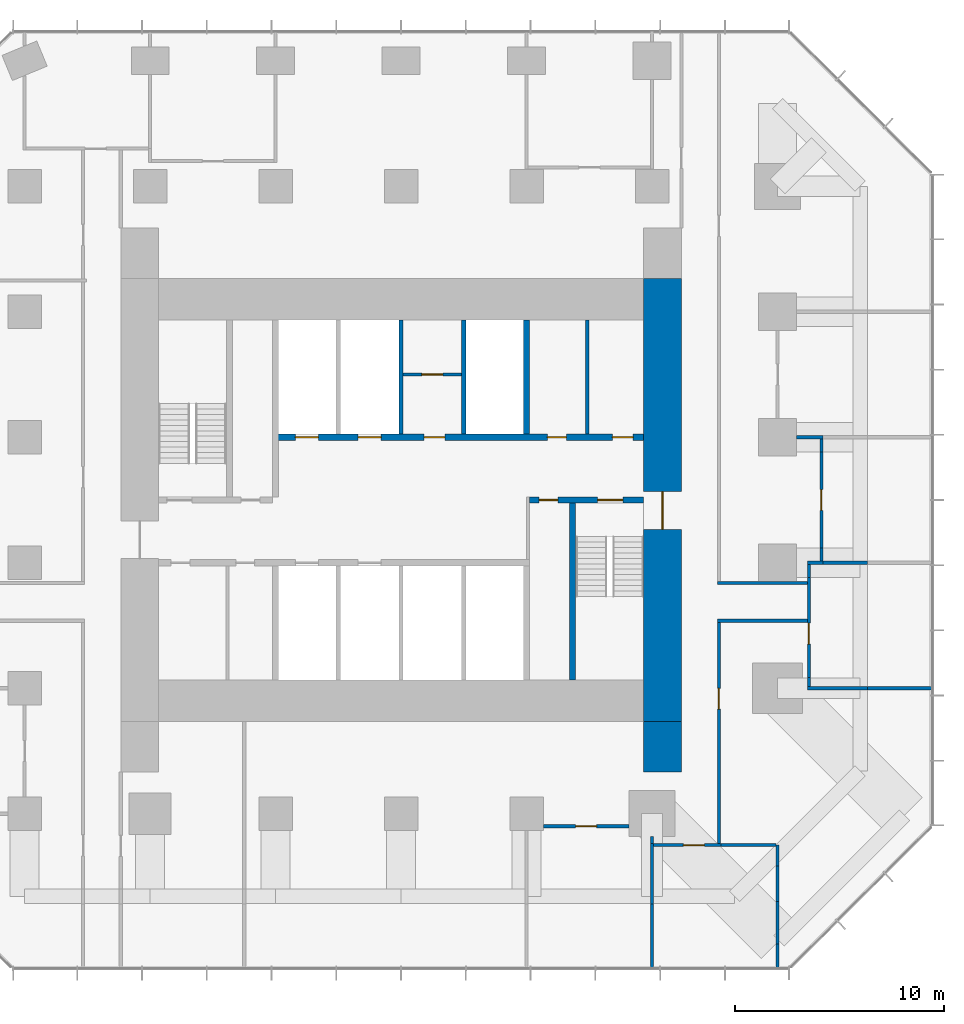
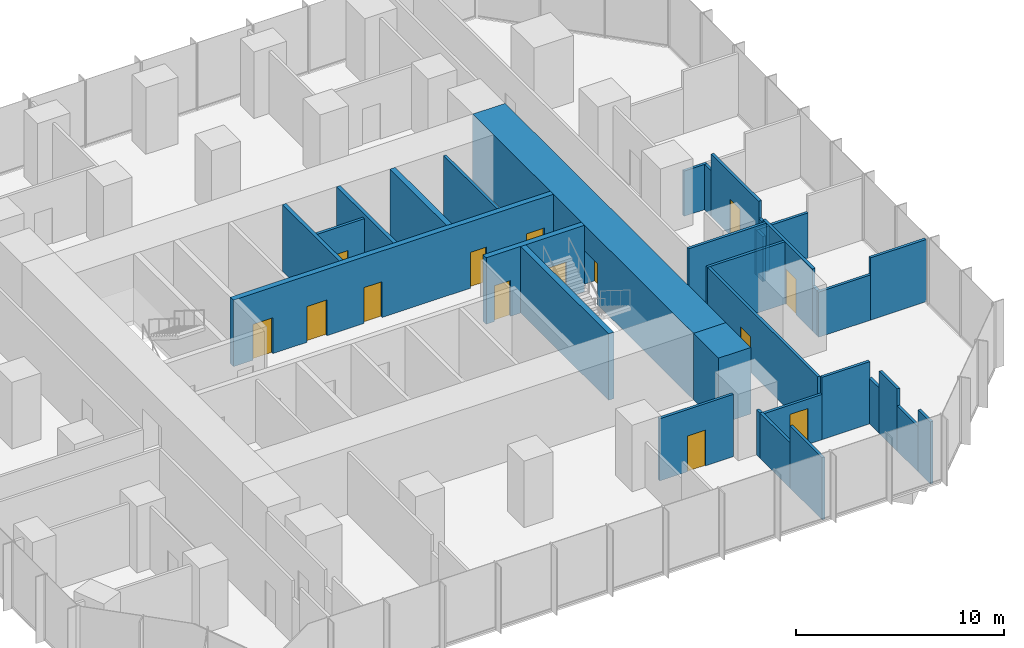
# One storey, part 9 of 11: 34 walls, 14 doors, 14 openings.
"""IFC4 building model written with IfcOpenShell, lengths in metres."""

from ifc_helpers import new_model, si_unit, direction, frame, frame_2d, origin, place, context, subcontext, project, spatial, rectangle, extrude, material, layer, layer_set, type_object, element, fill, save


model = new_model("IFC4")

# Units and contexts
model_context = context("Model", 3, precision=1e-05, world=origin(), true_north=direction((0.0, 1.0)))
body_context = subcontext(model_context, "Body", "Model", "MODEL_VIEW")
ifc_project = project(units=[si_unit("LENGTHUNIT", "METRE"), si_unit("AREAUNIT", "SQUARE_METRE"), si_unit("VOLUMEUNIT", "CUBIC_METRE"), si_unit("PLANEANGLEUNIT", "RADIAN"), si_unit("MASSUNIT", "GRAM", prefix="KILO")], contexts=[model_context])

# Site, building, storey
site_placement = place(None, origin())
site = spatial("IfcSite", under=ifc_project, at=site_placement, CompositionType="ELEMENT")
building_placement = place(site_placement, origin())
building = spatial("IfcBuilding", under=site, at=building_placement, Name="Highveld Stack Headquarters", CompositionType="ELEMENT")
storey_placement = place(building_placement, frame((0.0, 0.0, 152.300048828125)))
storey = spatial("IfcBuildingStorey", under=building, at=storey_placement, Name="L37", CompositionType="ELEMENT", Elevation=152.300048828125)

# Wall, opening, door
ifc_material_1 = material(Name="Concrete C60/75", Category="concrete")
ifc_layer_1 = layer(ifc_material_1, 1.800048828125)
ifc_layer_set_1 = layer_set([ifc_layer_1], Name="Concrete C60/75")
wall_type_1 = type_object("IfcWallType", Name="CORE WALL 1800 C60/75", PredefinedType="SHEAR", material=ifc_layer_set_1)
wall_1_placement = place(storey_placement, frame((18.5, -7.60009765625, 0.0), z_axis=(0.0, 0.0, 1.0), x_axis=(0.0, 1.0, 0.0)))
wall_1 = element("IfcWall", 1, at=wall_1_placement, inside=storey, type_object=wall_type_1, Name="Core wall E L37", PredefinedType="SHEAR", context=body_context, shape_type="SweptSolid", body=[
    extrude(rectangle(XDim=21.2001953125, YDim=1.800048828125, at=frame_2d((10.60009765625, 0.0))), origin(), (0.0, 0.0, 1.0), 3.89990234375),
])
opening_1_placement = place(wall_1_placement, frame((9.199951171875, 0.0, 0.0)))
opening_1 = element("IfcOpeningElement", 2, at=opening_1_placement, cuts=wall_1, Name="Opening L37-02", PredefinedType="OPENING", context=body_context, shape_type="SweptSolid", body=[
    extrude(rectangle(XDim=1.800048828125, YDim=2.39990234375, at=frame_2d((0.89990234375, 1.199951171875))), frame((0.0, 0.909912109375, 0.0), z_axis=(0.0, -1.0, 0.0), x_axis=(1.0, 0.0, 0.0)), (0.0, 0.0, 1.0), 1.820068359375),
])
ifc_material_2 = material(Name="Steel fire door", Category="steel")
door_type_1 = type_object("IfcDoorType", Name="LOBBY FIRE DOOR D4 1800x2400", OperationType="DOUBLE_DOOR_SINGLE_SWING", PredefinedType="DOOR", material=ifc_material_2)
door_1_placement = place(opening_1_placement, origin())
door_1 = element("IfcDoor", 3, at=door_1_placement, inside=storey, type_object=door_type_1, Name="Core east door L37", OperationType="DOUBLE_DOOR_SINGLE_SWING", OverallHeight=2.39990234375, OverallWidth=1.800048828125, PredefinedType="DOOR", context=body_context, shape_type="SweptSolid", body=[
    extrude(rectangle(XDim=1.800048828125, YDim=2.39990234375, at=frame_2d((0.89990234375, 1.199951171875))), frame((0.0, 0.02490234375, 0.0), z_axis=(0.0, -1.0, 0.0), x_axis=(1.0, 0.0, 0.0)), (0.0, 0.0, 1.0), 0.050048828125),
])
fill(opening_1, door_1)

# Wall, openings, doors
ifc_material_3 = material(Name="Concrete C60/75", Category="concrete")
ifc_layer_2 = layer(ifc_material_3, 0.300048828125)
ifc_layer_set_2 = layer_set([ifc_layer_2], Name="Concrete C60/75")
wall_type_2 = type_object("IfcWallType", Name="CORE WALL 300 C60/75", PredefinedType="SHEAR", material=ifc_layer_set_2)
wall_2_placement = place(storey_placement, frame((12.14990234375, 3.0, 0.0), z_axis=(0.0, 0.0, 1.0), x_axis=(1.0, 0.0, 0.0)))
wall_2 = element("IfcWall", 4, at=wall_2_placement, inside=storey, type_object=wall_type_2, Name="Core wall I-Y3E L37", PredefinedType="SHEAR", context=body_context, shape_type="SweptSolid", body=[
    extrude(rectangle(XDim=5.4501953125, YDim=0.300048828125, at=frame_2d((2.72509765625, 0.0))), origin(), (0.0, 0.0, 1.0), 3.89990234375),
])
opening_2_placement = place(wall_2_placement, frame((3.25, 0.0, 0.0)))
opening_2 = element("IfcOpeningElement", 5, at=opening_2_placement, cuts=wall_2, Name="Opening L37-05", PredefinedType="OPENING", context=body_context, shape_type="SweptSolid", body=[
    extrude(rectangle(XDim=1.199951171875, YDim=2.10009765625, at=frame_2d((0.60009765625, 1.050048828125))), frame((0.0, 0.159912109375, 0.0), z_axis=(0.0, -1.0, 0.0), x_axis=(1.0, 0.0, 0.0)), (0.0, 0.0, 1.0), 0.320068359375),
])
opening_3_placement = place(wall_2_placement, frame((0.449951171875, 0.0, 0.0)))
opening_3 = element("IfcOpeningElement", 6, at=opening_3_placement, cuts=wall_2, Name="Opening L37-06", PredefinedType="OPENING", context=body_context, shape_type="SweptSolid", body=[
    extrude(rectangle(XDim=0.89990234375, YDim=2.10009765625, at=frame_2d((0.449951171875, 1.050048828125))), frame((0.0, 0.159912109375, 0.0), z_axis=(0.0, -1.0, 0.0), x_axis=(1.0, 0.0, 0.0)), (0.0, 0.0, 1.0), 0.320068359375),
])
ifc_material_4 = material(Name="Steel fire door", Category="steel")
door_type_2 = type_object("IfcDoorType", Name="RISER ACCESS DOOR D5 900x2100", OperationType="SINGLE_SWING_LEFT", PredefinedType="DOOR", material=ifc_material_4)
door_2_placement = place(opening_3_placement, origin())
door_2 = element("IfcDoor", 7, at=door_2_placement, inside=storey, type_object=door_type_2, Name="Riser R2 door L37", OperationType="SINGLE_SWING_LEFT", OverallHeight=2.10009765625, OverallWidth=0.89990234375, PredefinedType="DOOR", context=body_context, shape_type="SweptSolid", body=[
    extrude(rectangle(XDim=0.89990234375, YDim=2.10009765625, at=frame_2d((0.449951171875, 1.050048828125))), frame((0.0, 0.02490234375, 0.0), z_axis=(0.0, -1.0, 0.0), x_axis=(1.0, 0.0, 0.0)), (0.0, 0.0, 1.0), 0.050048828125),
])
fill(opening_3, door_2)
ifc_material_5 = material(Name="Steel fire door", Category="steel")
door_type_3 = type_object("IfcDoorType", Name="STAIR FIRE DOOR D3 1200x2100", OperationType="SINGLE_SWING_LEFT", PredefinedType="DOOR", material=ifc_material_5)
door_3_placement = place(opening_2_placement, origin())
door_3 = element("IfcDoor", 8, at=door_3_placement, inside=storey, type_object=door_type_3, Name="Stair S2 door L37", OperationType="SINGLE_SWING_RIGHT", OverallHeight=2.10009765625, OverallWidth=1.199951171875, PredefinedType="DOOR", context=body_context, shape_type="SweptSolid", body=[
    extrude(rectangle(XDim=1.199951171875, YDim=2.10009765625, at=frame_2d((0.60009765625, 1.050048828125))), frame((0.0, 0.02490234375, 0.0), z_axis=(0.0, -1.0, 0.0), x_axis=(1.0, 0.0, 0.0)), (0.0, 0.0, 1.0), 0.050048828125),
])
fill(opening_2, door_3)

wall_3_placement = place(storey_placement, frame((-0.14990234375, 6.0, 0.0), z_axis=(0.0, 0.0, 1.0), x_axis=(1.0, 0.0, 0.0)))
wall_3 = element("IfcWall", 9, at=wall_3_placement, inside=storey, type_object=wall_type_2, Name="Core wall I-Y6 L37", PredefinedType="SHEAR", context=body_context, shape_type="SweptSolid", body=[
    extrude(rectangle(XDim=17.75, YDim=0.300048828125, at=frame_2d((8.875, 0.0))), origin(), (0.0, 0.0, 1.0), 3.89990234375),
])
opening_4_placement = place(wall_3_placement, frame((13.14990234375, 0.0, 0.0)))
opening_4 = element("IfcOpeningElement", 10, at=opening_4_placement, cuts=wall_3, Name="Opening L37-09", PredefinedType="OPENING", context=body_context, shape_type="SweptSolid", body=[
    extrude(rectangle(XDim=0.89990234375, YDim=2.10009765625, at=frame_2d((0.449951171875, 1.050048828125))), frame((0.0, 0.159912109375, 0.0), z_axis=(0.0, -1.0, 0.0), x_axis=(1.0, 0.0, 0.0)), (0.0, 0.0, 1.0), 0.320068359375),
])
opening_5_placement = place(wall_3_placement, frame((16.25, 0.0, 0.0)))
opening_5 = element("IfcOpeningElement", 11, at=opening_5_placement, cuts=wall_3, Name="Opening L37-10", PredefinedType="OPENING", context=body_context, shape_type="SweptSolid", body=[
    extrude(rectangle(XDim=1.0, YDim=2.10009765625, at=frame_2d((0.5, 1.050048828125))), frame((0.0, 0.159912109375, 0.0), z_axis=(0.0, -1.0, 0.0), x_axis=(1.0, 0.0, 0.0)), (0.0, 0.0, 1.0), 0.320068359375),
])
opening_6_placement = place(wall_3_placement, frame((7.25, 0.0, 0.0)))
opening_6 = element("IfcOpeningElement", 12, at=opening_6_placement, cuts=wall_3, Name="Opening L37-12", PredefinedType="OPENING", context=body_context, shape_type="SweptSolid", body=[
    extrude(rectangle(XDim=1.0, YDim=2.10009765625, at=frame_2d((0.5, 1.050048828125))), frame((0.0, 0.159912109375, 0.0), z_axis=(0.0, -1.0, 0.0), x_axis=(1.0, 0.0, 0.0)), (0.0, 0.0, 1.0), 0.320068359375),
])
opening_7_placement = place(wall_3_placement, frame((1.10009765625, 0.0, 0.0)))
opening_7 = element("IfcOpeningElement", 13, at=opening_7_placement, cuts=wall_3, Name="Opening LD", PredefinedType="OPENING", context=body_context, shape_type="SweptSolid", body=[
    extrude(rectangle(XDim=1.10009765625, YDim=2.10009765625, at=frame_2d((0.550048828125, 1.050048828125))), frame((0.0, 0.159912109375, 0.0), z_axis=(0.0, -1.0, 0.0), x_axis=(1.0, 0.0, 0.0)), (0.0, 0.0, 1.0), 0.320068359375),
])
opening_8_placement = place(wall_3_placement, frame((4.10009765625, 0.0, 0.0)))
opening_8 = element("IfcOpeningElement", 14, at=opening_8_placement, cuts=wall_3, Name="Opening LD", PredefinedType="OPENING", context=body_context, shape_type="SweptSolid", body=[
    extrude(rectangle(XDim=1.10009765625, YDim=2.10009765625, at=frame_2d((0.550048828125, 1.050048828125))), frame((0.0, 0.159912109375, 0.0), z_axis=(0.0, -1.0, 0.0), x_axis=(1.0, 0.0, 0.0)), (0.0, 0.0, 1.0), 0.320068359375),
])
ifc_material_6 = material(Name="Timber door, painted", Category="wood")
door_type_4 = type_object("IfcDoorType", Name="ACCESSIBLE WC DOOR D2 1000x2100", OperationType="SINGLE_SWING_RIGHT", PredefinedType="DOOR", material=ifc_material_6)
door_4_placement = place(opening_5_placement, origin())
door_4 = element("IfcDoor", 15, at=door_4_placement, inside=storey, type_object=door_type_4, Name="Accessible WC door L37", OperationType="SINGLE_SWING_RIGHT", OverallHeight=2.10009765625, OverallWidth=1.0, PredefinedType="DOOR", context=body_context, shape_type="SweptSolid", body=[
    extrude(rectangle(XDim=1.0, YDim=2.10009765625, at=frame_2d((0.5, 1.050048828125))), frame((0.0, 0.02490234375, 0.0), z_axis=(0.0, -1.0, 0.0), x_axis=(1.0, 0.0, 0.0)), (0.0, 0.0, 1.0), 0.050048828125),
])
fill(opening_5, door_4)
ifc_material_7 = material(Name="Steel fire door", Category="steel")
door_type_5 = type_object("IfcDoorType", Name="CORE ROOM FIRE DOOR D14 1000x2100", OperationType="SINGLE_SWING_LEFT", PredefinedType="DOOR", material=ifc_material_7)
door_5_placement = place(opening_6_placement, origin())
door_5 = element("IfcDoor", 16, at=door_5_placement, inside=storey, type_object=door_type_5, Name="Capped A 1 door L37", OperationType="SINGLE_SWING_LEFT", OverallHeight=2.10009765625, OverallWidth=1.0, PredefinedType="DOOR", context=body_context, shape_type="SweptSolid", body=[
    extrude(rectangle(XDim=1.0, YDim=2.10009765625, at=frame_2d((0.5, 1.050048828125))), frame((0.0, 0.02490234375, 0.0), z_axis=(0.0, -1.0, 0.0), x_axis=(1.0, 0.0, 0.0)), (0.0, 0.0, 1.0), 0.050048828125),
])
fill(opening_6, door_5)
ifc_material_8 = material(Name="Stainless steel lift landing door", Category="steel")
door_type_6 = type_object("IfcDoorType", Name="LIFT LANDING DOOR LD 1100x2100", OperationType="DOUBLE_DOOR_SLIDING", PredefinedType="USERDEFINED", material=ifc_material_8)
door_6_placement = place(opening_7_placement, origin())
door_6 = element("IfcDoor", 17, at=door_6_placement, inside=storey, type_object=door_type_6, Name="Lift landing door FF1 L37", ObjectType="LIFT LANDING DOOR", OperationType="DOUBLE_DOOR_SLIDING", OverallHeight=2.10009765625, OverallWidth=1.10009765625, PredefinedType="USERDEFINED", context=body_context, shape_type="SweptSolid", body=[
    extrude(rectangle(XDim=1.10009765625, YDim=2.10009765625, at=frame_2d((0.550048828125, 1.050048828125))), frame((0.0, 0.02490234375, 0.0), z_axis=(0.0, -1.0, 0.0), x_axis=(1.0, 0.0, 0.0)), (0.0, 0.0, 1.0), 0.050048828125),
])
fill(opening_7, door_6)
door_7_placement = place(opening_8_placement, origin())
door_7 = element("IfcDoor", 18, at=door_7_placement, inside=storey, type_object=door_type_6, Name="Lift landing door FF2 L37", ObjectType="LIFT LANDING DOOR", OperationType="DOUBLE_DOOR_SLIDING", OverallHeight=2.10009765625, OverallWidth=1.10009765625, PredefinedType="USERDEFINED", context=body_context, shape_type="SweptSolid", body=[
    extrude(rectangle(XDim=1.10009765625, YDim=2.10009765625, at=frame_2d((0.550048828125, 1.050048828125))), frame((0.0, 0.02490234375, 0.0), z_axis=(0.0, -1.0, 0.0), x_axis=(1.0, 0.0, 0.0)), (0.0, 0.0, 1.0), 0.050048828125),
])
fill(opening_8, door_7)
ifc_material_9 = material(Name="Timber door, painted", Category="wood")
door_type_7 = type_object("IfcDoorType", Name="WC DOOR D1 900x2100", OperationType="SINGLE_SWING_LEFT", PredefinedType="DOOR", material=ifc_material_9)
door_8_placement = place(opening_4_placement, origin())
door_8 = element("IfcDoor", 19, at=door_8_placement, inside=storey, type_object=door_type_7, Name="Male WC door L37", OperationType="SINGLE_SWING_RIGHT", OverallHeight=2.10009765625, OverallWidth=0.89990234375, PredefinedType="DOOR", context=body_context, shape_type="SweptSolid", body=[
    extrude(rectangle(XDim=0.89990234375, YDim=2.10009765625, at=frame_2d((0.449951171875, 1.050048828125))), frame((0.0, 0.02490234375, 0.0), z_axis=(0.0, -1.0, 0.0), x_axis=(1.0, 0.0, 0.0)), (0.0, 0.0, 1.0), 0.050048828125),
])
fill(opening_4, door_8)

# Walls
wall_4_placement = place(storey_placement, frame((12.0, 6.14990234375, 0.0), z_axis=(0.0, 0.0, 1.0), x_axis=(0.0, 1.0, 0.0)))
element("IfcWall", 20, at=wall_4_placement, inside=storey, type_object=wall_type_2, Name="Core wall I-X12N L37", PredefinedType="SHEAR", context=body_context, shape_type="SweptSolid", body=[
    extrude(rectangle(XDim=5.4501953125, YDim=0.300048828125, at=frame_2d((2.72509765625, 0.0))), origin(), (0.0, 0.0, 1.0), 3.89990234375),
])
wall_5_placement = place(storey_placement, frame((14.199951171875, -5.60009765625, 0.0), z_axis=(0.0, 0.0, 1.0), x_axis=(0.0, 1.0, 0.0)))
element("IfcWall", 21, at=wall_5_placement, inside=storey, type_object=wall_type_2, Name="Core wall I-RE L37", PredefinedType="SHEAR", context=body_context, shape_type="SweptSolid", body=[
    extrude(rectangle(XDim=8.4501953125, YDim=0.300048828125, at=frame_2d((4.22509765625, 0.0))), origin(), (0.0, 0.0, 1.0), 3.89990234375),
])
ifc_material_10 = material(Name="Concrete C60/75", Category="concrete")
ifc_layer_3 = layer(ifc_material_10, 1.800048828125)
ifc_layer_set_3 = layer_set([ifc_layer_3], Name="Concrete C60/75")
wall_type_3 = type_object("IfcWallType", Name="CORE WING WALL 1800 C60/75", PredefinedType="SHEAR", material=ifc_layer_set_3)
wall_6_placement = place(storey_placement, frame((18.5, -10.0, 0.0), z_axis=(0.0, 0.0, 1.0), x_axis=(0.0, 1.0, 0.0)))
element("IfcWall", 22, at=wall_6_placement, inside=storey, type_object=wall_type_3, Name="Core wing wall ES L37", PredefinedType="SHEAR", context=body_context, shape_type="SweptSolid", body=[
    extrude(rectangle(XDim=2.39990234375, YDim=1.800048828125, at=frame_2d((1.199951171875, 0.0))), origin(), (0.0, 0.0, 1.0), 3.89990234375),
])

# Wall, opening, door
ifc_material_11 = material(Name="Concrete blockwork, plastered", Category="masonry")
ifc_layer_4 = layer(ifc_material_11, 0.14990234375)
ifc_layer_set_4 = layer_set([ifc_layer_4], Name="Concrete blockwork, plastered")
wall_type_4 = type_object("IfcWallType", Name="FIRE PARTITION 150 BLOCKWORK", PredefinedType="PARTITIONING", material=ifc_layer_set_4)
wall_7_placement = place(storey_placement, frame((6.10009765625, 9.0, 0.0), z_axis=(0.0, 0.0, 1.0), x_axis=(1.0, 0.0, 0.0)))
wall_7 = element("IfcWall", 23, at=wall_7_placement, inside=storey, type_object=wall_type_4, Name="Core room partition L37", PredefinedType="PARTITIONING", context=body_context, shape_type="SweptSolid", body=[
    extrude(rectangle(XDim=2.7998046875, YDim=0.14990234375, at=frame_2d((1.39990234375, 0.0))), origin(), (0.0, 0.0, 1.0), 3.64990234375),
])
opening_9_placement = place(wall_7_placement, frame((0.89990234375, 0.0, 0.0)))
opening_9 = element("IfcOpeningElement", 24, at=opening_9_placement, cuts=wall_7, Name="Opening L37-11", PredefinedType="OPENING", context=body_context, shape_type="SweptSolid", body=[
    extrude(rectangle(XDim=1.0, YDim=2.10009765625, at=frame_2d((0.5, 1.050048828125))), frame((0.0, 0.0849609375, 0.0), z_axis=(0.0, -1.0, 0.0), x_axis=(1.0, 0.0, 0.0)), (0.0, 0.0, 1.0), 0.169921875),
])
door_9_placement = place(opening_9_placement, origin())
door_9 = element("IfcDoor", 25, at=door_9_placement, inside=storey, type_object=door_type_5, Name="Capped A 2 door L37", OperationType="SINGLE_SWING_RIGHT", OverallHeight=2.10009765625, OverallWidth=1.0, PredefinedType="DOOR", context=body_context, shape_type="SweptSolid", body=[
    extrude(rectangle(XDim=1.0, YDim=2.10009765625, at=frame_2d((0.5, 1.050048828125))), frame((0.0, 0.02490234375, 0.0), z_axis=(0.0, -1.0, 0.0), x_axis=(1.0, 0.0, 0.0)), (0.0, 0.0, 1.0), 0.050048828125),
])
fill(opening_9, door_9)

ifc_material_12 = material(Name="Laminated glass in aluminium frame", Category="aluminium")
ifc_layer_5 = layer(ifc_material_12, 0.14990234375)
ifc_layer_set_5 = layer_set([ifc_layer_5], Name="Laminated glass in aluminium frame")
wall_type_5 = type_object("IfcWallType", Name="GLAZED PARTITION 150", PredefinedType="PARTITIONING", material=ifc_layer_set_5)
wall_8_placement = place(storey_placement, frame((12.800048828125, -12.60009765625, 0.0), z_axis=(0.0, 0.0, 1.0), x_axis=(1.0, 0.0, 0.0)))
wall_8 = element("IfcWall", 26, at=wall_8_placement, inside=storey, type_object=wall_type_5, Name="Glazed partition Video conference room L37", PredefinedType="PARTITIONING", context=body_context, shape_type="SweptSolid", body=[
    extrude(rectangle(XDim=4.099853515625, YDim=0.14990234375, at=frame_2d((2.0498046875, 0.0))), origin(), (0.0, 0.0, 1.0), 3.64990234375),
])
opening_10_placement = place(wall_8_placement, frame((1.550048828125, 0.0, 0.0)))
opening_10 = element("IfcOpeningElement", 27, at=opening_10_placement, cuts=wall_8, Name="Opening L37-13", PredefinedType="OPENING", context=body_context, shape_type="SweptSolid", body=[
    extrude(rectangle(XDim=1.0, YDim=2.10009765625, at=frame_2d((0.5, 1.050048828125))), frame((0.0, 0.0849609375, 0.0), z_axis=(0.0, -1.0, 0.0), x_axis=(1.0, 0.0, 0.0)), (0.0, 0.0, 1.0), 0.169921875),
])
ifc_material_13 = material(Name="Timber door, oiled ash", Category="wood")
door_type_8 = type_object("IfcDoorType", Name="ROOM DOOR D6 1000x2100", OperationType="SINGLE_SWING_LEFT", PredefinedType="DOOR", material=ifc_material_13)
door_10_placement = place(opening_10_placement, origin())
door_10 = element("IfcDoor", 28, at=door_10_placement, inside=storey, type_object=door_type_8, Name="Video conference room door 1 L37", OperationType="SINGLE_SWING_RIGHT", OverallHeight=2.10009765625, OverallWidth=1.0, PredefinedType="DOOR", context=body_context, shape_type="SweptSolid", body=[
    extrude(rectangle(XDim=1.0, YDim=2.10009765625, at=frame_2d((0.5, 1.050048828125))), frame((0.0, 0.02490234375, 0.0), z_axis=(0.0, -1.0, 0.0), x_axis=(1.0, 0.0, 0.0)), (0.0, 0.0, 1.0), 0.050048828125),
])
fill(opening_10, door_10)

# Walls
ifc_material_14 = material(Name="Concrete blockwork, fair-faced", Category="masonry")
ifc_layer_6 = layer(ifc_material_14, 0.199951171875)
ifc_layer_set_6 = layer_set([ifc_layer_6], Name="Concrete blockwork, fair-faced")
wall_type_6 = type_object("IfcWallType", Name="LIFT SHAFT ENCLOSURE WALL 200 BLOCKWORK", PredefinedType="SOLIDWALL", material=ifc_layer_set_6)
for number, where, z_axis, x_axis, name in (
    (29, (6.0, 6.14990234375, 0.0), (0.0, 0.0, 1.0), (0.0, 1.0, 0.0), "Lift shaft wall L37"),
    (30, (9.0, 6.14990234375, 0.0), (0.0, 0.0, 1.0), (0.0, 1.0, 0.0), "Lift shaft wall L37"),
):
    element("IfcWall", number, at=place(storey_placement, frame(where, z_axis=z_axis, x_axis=x_axis)), inside=storey, type_object=wall_type_6, Name=name, PredefinedType="SOLIDWALL", context=body_context, shape_type="SweptSolid", body=[
        extrude(rectangle(XDim=5.4501953125, YDim=0.199951171875, at=frame_2d((2.72509765625, 0.0))), origin(), (0.0, 0.0, 1.0), 3.89990234375),
    ])

# Wall, opening, door
ifc_material_15 = material(Name="Gypsum plasterboard on steel studs", Category="steel")
ifc_layer_7 = layer(ifc_material_15, 0.14990234375)
ifc_layer_set_7 = layer_set([ifc_layer_7], Name="Gypsum plasterboard on steel studs")
wall_type_7 = type_object("IfcWallType", Name="PARTITION 150 PLASTERBOARD", PredefinedType="PARTITIONING", material=ifc_layer_set_7)
wall_9_placement = place(storey_placement, frame((18.074951171875, -13.5, 0.0), z_axis=(0.0, 0.0, 1.0), x_axis=(1.0, 0.0, 0.0)))
wall_9 = element("IfcWall", 31, at=wall_9_placement, inside=storey, type_object=wall_type_7, Name="Partition Quiet room L37", PredefinedType="PARTITIONING", context=body_context, shape_type="SweptSolid", body=[
    extrude(rectangle(XDim=3.217041015625, YDim=0.14990234375, at=frame_2d((1.6083984375, 0.0))), origin(), (0.0, 0.0, 1.0), 2.64990234375),
])
opening_11_placement = place(wall_9_placement, frame((1.425048828125, 0.0, 0.0)))
opening_11 = element("IfcOpeningElement", 32, at=opening_11_placement, cuts=wall_9, Name="Opening L37-14", PredefinedType="OPENING", context=body_context, shape_type="SweptSolid", body=[
    extrude(rectangle(XDim=1.0, YDim=2.10009765625, at=frame_2d((0.5, 1.050048828125))), frame((0.0, 0.0849609375, 0.0), z_axis=(0.0, -1.0, 0.0), x_axis=(1.0, 0.0, 0.0)), (0.0, 0.0, 1.0), 0.169921875),
])
door_11_placement = place(opening_11_placement, origin())
door_11 = element("IfcDoor", 33, at=door_11_placement, inside=storey, type_object=door_type_8, Name="Quiet room door 1 L37", OperationType="SINGLE_SWING_RIGHT", OverallHeight=2.10009765625, OverallWidth=1.0, PredefinedType="DOOR", context=body_context, shape_type="SweptSolid", body=[
    extrude(rectangle(XDim=1.0, YDim=2.10009765625, at=frame_2d((0.5, 1.050048828125))), frame((0.0, 0.02490234375, 0.0), z_axis=(0.0, -1.0, 0.0), x_axis=(1.0, 0.0, 0.0)), (0.0, 0.0, 1.0), 0.050048828125),
])
fill(opening_11, door_11)

# Walls
wall_10_placement = place(storey_placement, frame((21.2919921875, -13.5, 0.0), z_axis=(0.0, 0.0, 1.0), x_axis=(1.0, 0.0, 0.0)))
element("IfcWall", 34, at=wall_10_placement, inside=storey, type_object=wall_type_7, Name="Partition Quiet room L37", PredefinedType="PARTITIONING", context=body_context, shape_type="SweptSolid", body=[
    extrude(rectangle(XDim=2.64306640625, YDim=0.14990234375, at=frame_2d((1.321533203125, 0.0))), origin(), (0.0, 0.0, 1.0), 3.64990234375),
])
wall_11_placement = place(storey_placement, frame((25.425048828125, -6.0, 0.0), z_axis=(0.0, 0.0, 1.0), x_axis=(1.0, 0.0, 0.0)))
element("IfcWall", 35, at=wall_11_placement, inside=storey, type_object=wall_type_7, Name="Partition Quiet room L37", PredefinedType="PARTITIONING", context=body_context, shape_type="SweptSolid", body=[
    extrude(rectangle(XDim=2.885009765625, YDim=0.14990234375, at=frame_2d((1.4423828125, 0.0))), origin(), (0.0, 0.0, 1.0), 2.64990234375),
])
wall_12_placement = place(storey_placement, frame((28.31005859375, -6.0, 0.0), z_axis=(0.0, 0.0, 1.0), x_axis=(1.0, 0.0, 0.0)))
element("IfcWall", 36, at=wall_12_placement, inside=storey, type_object=wall_type_7, Name="Partition Quiet room L37", PredefinedType="PARTITIONING", context=body_context, shape_type="SweptSolid", body=[
    extrude(rectangle(XDim=3.08984375, YDim=0.14990234375, at=frame_2d((1.544921875, 0.0))), origin(), (0.0, 0.0, 1.0), 3.64990234375),
])
wall_13_placement = place(storey_placement, frame((25.425048828125, 0.0, 0.0), z_axis=(0.0, 0.0, 1.0), x_axis=(1.0, 0.0, 0.0)))
element("IfcWall", 37, at=wall_13_placement, inside=storey, type_object=wall_type_7, Name="Partition Quiet room L37", PredefinedType="PARTITIONING", context=body_context, shape_type="SweptSolid", body=[
    extrude(rectangle(XDim=0.75, YDim=0.14990234375, at=frame_2d((0.375, 0.0))), origin(), (0.0, 0.0, 1.0), 2.64990234375),
])
wall_14_placement = place(storey_placement, frame((26.10009765625, 0.0, 0.0), z_axis=(0.0, 0.0, 1.0), x_axis=(1.0, 0.0, 0.0)))
element("IfcWall", 38, at=wall_14_placement, inside=storey, type_object=wall_type_7, Name="Partition Focus room / Quiet room L37", PredefinedType="PARTITIONING", context=body_context, shape_type="SweptSolid", body=[
    extrude(rectangle(XDim=2.2099609375, YDim=0.14990234375, at=frame_2d((1.10498046875, 0.0))), origin(), (0.0, 0.0, 1.0), 2.64990234375),
])
wall_15_placement = place(storey_placement, frame((24.89990234375, 6.0, 0.0), z_axis=(0.0, 0.0, 1.0), x_axis=(1.0, 0.0, 0.0)))
element("IfcWall", 39, at=wall_15_placement, inside=storey, type_object=wall_type_7, Name="Partition Meeting room L37", PredefinedType="PARTITIONING", context=body_context, shape_type="SweptSolid", body=[
    extrude(rectangle(XDim=1.275146484375, YDim=0.14990234375, at=frame_2d((0.6376953125, 0.0))), origin(), (0.0, 0.0, 1.0), 2.64990234375),
])
wall_16_placement = place(storey_placement, frame((18.0, -19.39990234375, 0.0), z_axis=(0.0, 0.0, 1.0), x_axis=(0.0, 1.0, 0.0)))
element("IfcWall", 40, at=wall_16_placement, inside=storey, type_object=wall_type_7, Name="Partition Quiet room / Video conference room L37", PredefinedType="PARTITIONING", context=body_context, shape_type="SweptSolid", body=[
    extrude(rectangle(XDim=3.08984375, YDim=0.14990234375, at=frame_2d((1.544921875, 0.0))), origin(), (0.0, 0.0, 1.0), 3.64990234375),
])
wall_17_placement = place(storey_placement, frame((18.0, -16.31005859375, 0.0), z_axis=(0.0, 0.0, 1.0), x_axis=(0.0, 1.0, 0.0)))
element("IfcWall", 41, at=wall_17_placement, inside=storey, type_object=wall_type_7, Name="Partition Quiet room / Video conference room L37", PredefinedType="PARTITIONING", context=body_context, shape_type="SweptSolid", body=[
    extrude(rectangle(XDim=2.885009765625, YDim=0.14990234375, at=frame_2d((1.4423828125, 0.0))), origin(), (0.0, 0.0, 1.0), 2.64990234375),
])
wall_18_placement = place(storey_placement, frame((18.0, -13.425048828125, 0.0), z_axis=(0.0, 0.0, 1.0), x_axis=(0.0, 1.0, 0.0)))
element("IfcWall", 42, at=wall_18_placement, inside=storey, type_object=wall_type_7, Name="Partition Video conference room L37", PredefinedType="PARTITIONING", context=body_context, shape_type="SweptSolid", body=[
    extrude(rectangle(XDim=0.324951171875, YDim=0.14990234375, at=frame_2d((0.16259765625, 0.0))), origin(), (0.0, 0.0, 1.0), 2.64990234375),
])
wall_19_placement = place(storey_placement, frame((24.0, -19.39990234375, 0.0), z_axis=(0.0, 0.0, 1.0), x_axis=(0.0, 1.0, 0.0)))
element("IfcWall", 43, at=wall_19_placement, inside=storey, type_object=wall_type_7, Name="Partition Quiet room L37", PredefinedType="PARTITIONING", context=body_context, shape_type="SweptSolid", body=[
    extrude(rectangle(XDim=1.162841796875, YDim=0.14990234375, at=frame_2d((0.58154296875, 0.0))), origin(), (0.0, 0.0, 1.0), 3.64990234375),
])
wall_20_placement = place(storey_placement, frame((24.0, -18.237060546875, 0.0), z_axis=(0.0, 0.0, 1.0), x_axis=(0.0, 1.0, 0.0)))
element("IfcWall", 44, at=wall_20_placement, inside=storey, type_object=wall_type_7, Name="Partition Quiet room L37", PredefinedType="PARTITIONING", context=body_context, shape_type="SweptSolid", body=[
    extrude(rectangle(XDim=2.029052734375, YDim=0.14990234375, at=frame_2d((1.0146484375, 0.0))), origin(), (0.0, 0.0, 1.0), 2.64990234375),
])
wall_21_placement = place(storey_placement, frame((24.0, -16.2080078125, 0.0), z_axis=(0.0, 0.0, 1.0), x_axis=(0.0, 1.0, 0.0)))
element("IfcWall", 45, at=wall_21_placement, inside=storey, type_object=wall_type_7, Name="Partition Quiet room L37", PredefinedType="PARTITIONING", context=body_context, shape_type="SweptSolid", body=[
    extrude(rectangle(XDim=1.718017578125, YDim=0.14990234375, at=frame_2d((0.85888671875, 0.0))), origin(), (0.0, 0.0, 1.0), 3.64990234375),
])
wall_22_placement = place(storey_placement, frame((24.0, -14.489990234375, 0.0), z_axis=(0.0, 0.0, 1.0), x_axis=(0.0, 1.0, 0.0)))
element("IfcWall", 46, at=wall_22_placement, inside=storey, type_object=wall_type_7, Name="Partition Quiet room L37", PredefinedType="PARTITIONING", context=body_context, shape_type="SweptSolid", body=[
    extrude(rectangle(XDim=0.989990234375, YDim=0.14990234375, at=frame_2d((0.4951171875, 0.0))), origin(), (0.0, 0.0, 1.0), 2.64990234375),
])
wall_23_placement = place(storey_placement, frame((25.5, -5.925048828125, 0.0), z_axis=(0.0, 0.0, 1.0), x_axis=(0.0, 1.0, 0.0)))
element("IfcWall", 47, at=wall_23_placement, inside=storey, type_object=wall_type_7, Name="Partition Quiet room L37", PredefinedType="PARTITIONING", context=body_context, shape_type="SweptSolid", body=[
    extrude(rectangle(XDim=0.43505859375, YDim=0.14990234375, at=frame_2d((0.217529296875, 0.0))), origin(), (0.0, 0.0, 1.0), 2.64990234375),
])

# Wall, opening, door
wall_24_placement = place(storey_placement, frame((25.5, -5.489990234375, 0.0), z_axis=(0.0, 0.0, 1.0), x_axis=(0.0, 1.0, 0.0)))
wall_24 = element("IfcWall", 48, at=wall_24_placement, inside=storey, type_object=wall_type_7, Name="Partition Quiet room L37", PredefinedType="PARTITIONING", context=body_context, shape_type="SweptSolid", body=[
    extrude(rectangle(XDim=4.780029296875, YDim=0.14990234375, at=frame_2d((2.39013671875, 0.0))), origin(), (0.0, 0.0, 1.0), 3.64990234375),
])
opening_12_placement = place(wall_24_placement, frame((1.60009765625, 0.0, 0.0)))
opening_12 = element("IfcOpeningElement", 49, at=opening_12_placement, cuts=wall_24, Name="Opening L37-16", PredefinedType="OPENING", context=body_context, shape_type="SweptSolid", body=[
    extrude(rectangle(XDim=1.0, YDim=2.10009765625, at=frame_2d((0.5, 1.050048828125))), frame((0.0, 0.0849609375, 0.0), z_axis=(0.0, -1.0, 0.0), x_axis=(1.0, 0.0, 0.0)), (0.0, 0.0, 1.0), 0.169921875),
])
door_12_placement = place(opening_12_placement, origin())
door_12 = element("IfcDoor", 50, at=door_12_placement, inside=storey, type_object=door_type_8, Name="Quiet room door 1 L37", OperationType="SINGLE_SWING_LEFT", OverallHeight=2.10009765625, OverallWidth=1.0, PredefinedType="DOOR", context=body_context, shape_type="SweptSolid", body=[
    extrude(rectangle(XDim=1.0, YDim=2.10009765625, at=frame_2d((0.5, 1.050048828125))), frame((0.0, 0.02490234375, 0.0), z_axis=(0.0, -1.0, 0.0), x_axis=(1.0, 0.0, 0.0)), (0.0, 0.0, 1.0), 0.050048828125),
])
fill(opening_12, door_12)

# Walls
for number, where, z_axis, x_axis, name in (
    (51, (25.5, -0.7099609375, 0.0), (0.0, 0.0, 1.0), (0.0, 1.0, 0.0), "Partition Quiet room L37"),
    (52, (26.10009765625, 0.074951171875, 0.0), (0.0, 0.0, 1.0), (0.0, 1.0, 0.0), "Partition Focus room L37"),
):
    element("IfcWall", number, at=place(storey_placement, frame(where, z_axis=z_axis, x_axis=x_axis)), inside=storey, type_object=wall_type_7, Name=name, PredefinedType="PARTITIONING", context=body_context, shape_type="SweptSolid", body=[
        extrude(rectangle(XDim=0.635009765625, YDim=0.14990234375, at=frame_2d((0.3173828125, 0.0))), origin(), (0.0, 0.0, 1.0), 2.64990234375),
    ])

# Wall, opening, door
wall_25_placement = place(storey_placement, frame((26.10009765625, 0.7099609375, 0.0), z_axis=(0.0, 0.0, 1.0), x_axis=(0.0, 1.0, 0.0)))
wall_25 = element("IfcWall", 53, at=wall_25_placement, inside=storey, type_object=wall_type_7, Name="Partition Focus room L37", PredefinedType="PARTITIONING", context=body_context, shape_type="SweptSolid", body=[
    extrude(rectangle(XDim=4.580078125, YDim=0.14990234375, at=frame_2d((2.2900390625, 0.0))), origin(), (0.0, 0.0, 1.0), 3.64990234375),
])
opening_13_placement = place(wall_25_placement, frame((1.7900390625, 0.0, 0.0)))
opening_13 = element("IfcOpeningElement", 54, at=opening_13_placement, cuts=wall_25, Name="Opening L37-17", PredefinedType="OPENING", context=body_context, shape_type="SweptSolid", body=[
    extrude(rectangle(XDim=1.0, YDim=2.10009765625, at=frame_2d((0.5, 1.050048828125))), frame((0.0, 0.0849609375, 0.0), z_axis=(0.0, -1.0, 0.0), x_axis=(1.0, 0.0, 0.0)), (0.0, 0.0, 1.0), 0.169921875),
])
door_13_placement = place(opening_13_placement, origin())
door_13 = element("IfcDoor", 55, at=door_13_placement, inside=storey, type_object=door_type_8, Name="Focus room door 1 L37", OperationType="SINGLE_SWING_LEFT", OverallHeight=2.10009765625, OverallWidth=1.0, PredefinedType="DOOR", context=body_context, shape_type="SweptSolid", body=[
    extrude(rectangle(XDim=1.0, YDim=2.10009765625, at=frame_2d((0.5, 1.050048828125))), frame((0.0, 0.02490234375, 0.0), z_axis=(0.0, -1.0, 0.0), x_axis=(1.0, 0.0, 0.0)), (0.0, 0.0, 1.0), 0.050048828125),
])
fill(opening_13, door_13)

# Wall
wall_26_placement = place(storey_placement, frame((26.10009765625, 5.2900390625, 0.0), z_axis=(0.0, 0.0, 1.0), x_axis=(0.0, 1.0, 0.0)))
element("IfcWall", 56, at=wall_26_placement, inside=storey, type_object=wall_type_7, Name="Partition Focus room L37", PredefinedType="PARTITIONING", context=body_context, shape_type="SweptSolid", body=[
    extrude(rectangle(XDim=0.635009765625, YDim=0.14990234375, at=frame_2d((0.3173828125, 0.0))), origin(), (0.0, 0.0, 1.0), 2.64990234375),
])

# Wall, opening, door
wall_27_placement = place(storey_placement, frame((21.199951171875, -13.425048828125, 0.0), z_axis=(0.0, 0.0, 1.0), x_axis=(0.0, 1.0, 0.0)))
wall_27 = element("IfcWall", 57, at=wall_27_placement, inside=storey, type_object=wall_type_7, Name="Partition office neighbourhood L37", PredefinedType="PARTITIONING", context=body_context, shape_type="SweptSolid", body=[
    extrude(rectangle(XDim=10.574951171875, YDim=0.14990234375, at=frame_2d((5.28759765625, 0.0))), origin(), (0.0, 0.0, 1.0), 3.64990234375),
])
opening_14_placement = place(wall_27_placement, frame((6.423095703125, 0.0, 0.0)))
opening_14 = element("IfcOpeningElement", 58, at=opening_14_placement, cuts=wall_27, Name="Opening L37-24", PredefinedType="OPENING", context=body_context, shape_type="SweptSolid", body=[
    extrude(rectangle(XDim=1.0, YDim=2.10009765625, at=frame_2d((0.5, 1.050048828125))), frame((0.0, 0.0849609375, 0.0), z_axis=(0.0, -1.0, 0.0), x_axis=(1.0, 0.0, 0.0)), (0.0, 0.0, 1.0), 0.169921875),
])
door_14_placement = place(opening_14_placement, origin())
door_14 = element("IfcDoor", 59, at=door_14_placement, inside=storey, type_object=door_type_8, Name="Office neighbourhood door L37", OperationType="SINGLE_SWING_RIGHT", OverallHeight=2.10009765625, OverallWidth=1.0, PredefinedType="DOOR", context=body_context, shape_type="SweptSolid", body=[
    extrude(rectangle(XDim=1.0, YDim=2.10009765625, at=frame_2d((0.5, 1.050048828125))), frame((0.0, 0.02490234375, 0.0), z_axis=(0.0, -1.0, 0.0), x_axis=(1.0, 0.0, 0.0)), (0.0, 0.0, 1.0), 0.050048828125),
])
fill(opening_14, door_14)

# Walls
for number, where, z_axis, x_axis, name in (
    (60, (21.125, -2.77490234375, 0.0), (0.0, 0.0, 1.0), (1.0, 0.0, 0.0), "Partition office neighbourhood L37"),
    (61, (21.125, -0.97509765625, 0.0), (0.0, 0.0, 1.0), (1.0, 0.0, 0.0), "Partition office neighbourhood L37"),
):
    element("IfcWall", number, at=place(storey_placement, frame(where, z_axis=z_axis, x_axis=x_axis)), inside=storey, type_object=wall_type_7, Name=name, PredefinedType="PARTITIONING", context=body_context, shape_type="SweptSolid", body=[
        extrude(rectangle(XDim=4.300048828125, YDim=0.14990234375, at=frame_2d((2.14990234375, 0.0))), origin(), (0.0, 0.0, 1.0), 3.64990234375),
    ])
ifc_material_16 = material(Name="Concrete blockwork, tiled", Category="masonry")
ifc_layer_8 = layer(ifc_material_16, 0.14990234375)
ifc_layer_set_8 = layer_set([ifc_layer_8], Name="Concrete blockwork, tiled")
wall_type_8 = type_object("IfcWallType", Name="WC PARTITION 150", PredefinedType="PLUMBINGWALL", material=ifc_layer_set_8)
wall_28_placement = place(storey_placement, frame((14.89990234375, 6.14990234375, 0.0), z_axis=(0.0, 0.0, 1.0), x_axis=(0.0, 1.0, 0.0)))
element("IfcWall", 62, at=wall_28_placement, inside=storey, type_object=wall_type_8, Name="Toilet partition L37", PredefinedType="PLUMBINGWALL", context=body_context, shape_type="SweptSolid", body=[
    extrude(rectangle(XDim=5.4501953125, YDim=0.14990234375, at=frame_2d((2.72509765625, 0.0))), origin(), (0.0, 0.0, 1.0), 3.64990234375),
])

save(model, "model.ifc")
